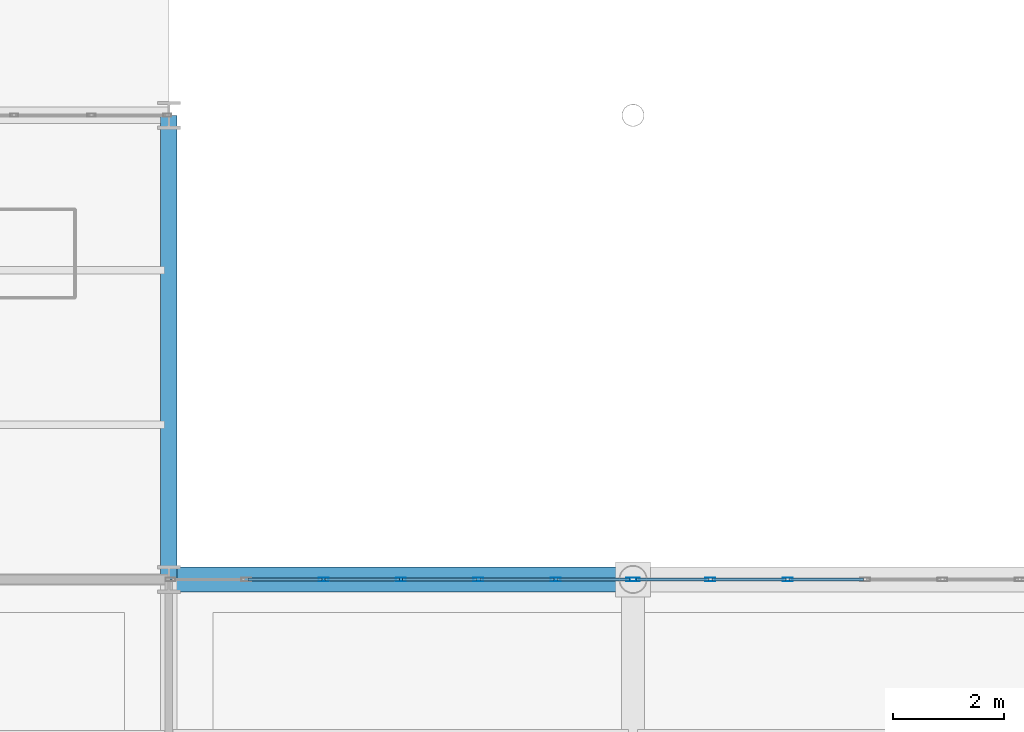
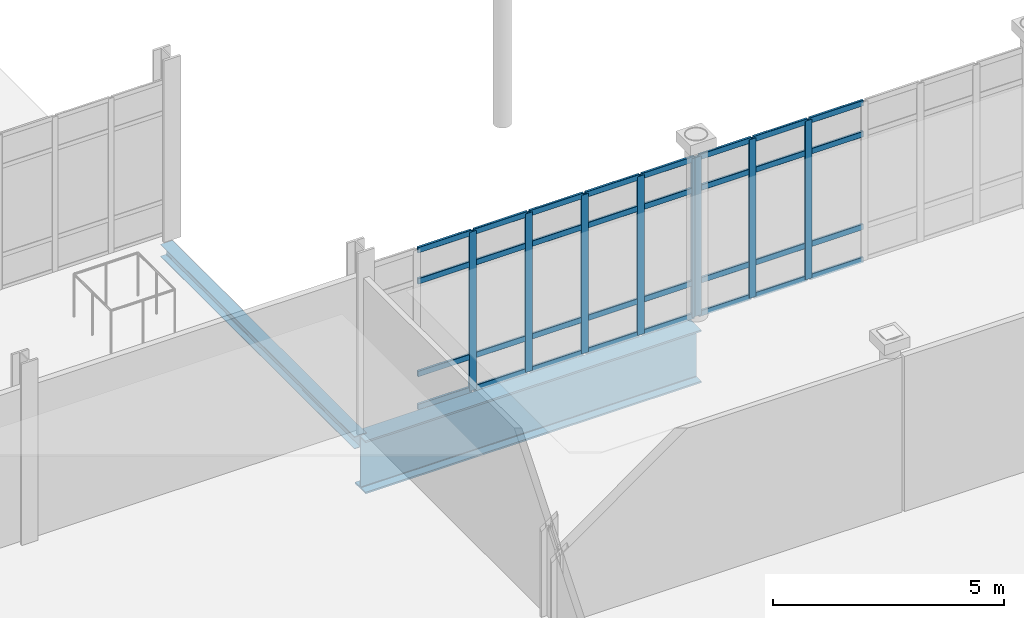
# One storey, part 41 of 145: 40 members, 2 beams, 2 elements without a shape of their own.
"""IFC4 building model written with IfcOpenShell, lengths in metres."""

from ifc_helpers import new_model, si_unit, direction, frame, origin, origin_2d, place, context, subcontext, project, spatial, hollow_rectangle, i_section, extrude, material, layer, layer_set, material_profile, profile_set, type_object, element, aggregate, save


model = new_model("IFC4")

# Units and contexts
model_context = context("Model", 3, precision=1e-05, world=origin(), true_north=direction((0.0, 1.0)))
body_context = subcontext(model_context, "Body", "Model", "MODEL_VIEW")
ifc_project = project(units=[si_unit("LENGTHUNIT", "METRE"), si_unit("AREAUNIT", "SQUARE_METRE"), si_unit("VOLUMEUNIT", "CUBIC_METRE"), si_unit("PLANEANGLEUNIT", "RADIAN"), si_unit("MASSUNIT", "GRAM", prefix="KILO")], contexts=[model_context])

# Site, building, storey
site_placement = place(None, origin())
site = spatial("IfcSite", under=ifc_project, at=site_placement, CompositionType="ELEMENT")
building_placement = place(site_placement, origin())
building = spatial("IfcBuilding", under=site, at=building_placement, Name="Qalvenar Corner Mobility Hub", CompositionType="ELEMENT")
storey_placement = place(building_placement, origin())
storey = spatial("IfcBuildingStorey", under=building, at=storey_placement, Name="L00", CompositionType="ELEMENT", Elevation=0.0)

# Beams
ifc_material_1 = material(Name="Steel S355", Category="steel")
ifc_material_profile_1 = material_profile(ifc_material_1, i_section(OverallWidth=0.300048828125, OverallDepth=0.330078125, WebThickness=0.009521484375, FlangeThickness=0.0166015625, FilletRadius=0.027099609375, at=origin_2d()), Name="HEA340")
ifc_profile_set_1 = profile_set([ifc_material_profile_1], Name="Steel S355")
beam_type_1 = type_object("IfcBeamType", Name="BM-SPN340", PredefinedType="SPANDREL", material=ifc_profile_set_1)
beam_1_placement = place(storey_placement, frame((50.39990234375, 33.60009765625, -0.385009765625), z_axis=(0.0, 1.0, 0.0), x_axis=(-1.0, 0.0, 0.0)))
element("IfcBeam", 1, at=beam_1_placement, inside=storey, type_object=beam_type_1, Name="Primary Steel Girder GY-0071", PredefinedType="SPANDREL", context=body_context, shape_type="SweptSolid", body=[
    extrude(i_section(OverallWidth=0.300048828125, OverallDepth=0.330078125, WebThickness=0.009521484375, FlangeThickness=0.0166015625, FilletRadius=0.027099609375, at=origin_2d()), origin(), (0.0, 0.0, 1.0), 8.39990234375),
])
ifc_material_profile_2 = material_profile(ifc_material_1, i_section(OverallWidth=0.449951171875, OverallDepth=1.39990234375, WebThickness=0.02587890625, FlangeThickness=0.0439453125, FilletRadius=0.02392578125, at=origin_2d()), Name="W1100x499-TG1400")
ifc_profile_set_2 = profile_set([ifc_material_profile_2], Name="Steel S355")
beam_type_2 = type_object("IfcBeamType", Name="BM-TG1400", PredefinedType="T_BEAM", material=ifc_profile_set_2)
beam_2_placement = place(storey_placement, frame((50.39990234375, 33.60009765625, -0.949951171875), z_axis=(1.0, 0.0, 0.0), x_axis=(0.0, 1.0, 0.0)))
element("IfcBeam", 2, at=beam_2_placement, inside=storey, type_object=beam_type_2, Name="Transfer Girder TG-0157", PredefinedType="T_BEAM", context=body_context, shape_type="SweptSolid", body=[
    extrude(i_section(OverallWidth=0.449951171875, OverallDepth=1.39990234375, WebThickness=0.02587890625, FlangeThickness=0.0439453125, FilletRadius=0.02392578125, at=origin_2d()), origin(), (0.0, 0.0, 1.0), 8.400146484375),
])

# Curtain wall, members
ifc_material_2 = material(Name="Anodised Aluminium and Low-E Glazing", Category="aluminium")
ifc_layer = layer(ifc_material_2, 0.179931640625)
ifc_layer_set = layer_set([ifc_layer], Name="Anodised Aluminium and Low-E Glazing")
curtain_wall_type = type_object("IfcCurtainWallType", Name="CW-CONC-84X48", PredefinedType="NOTDEFINED", material=ifc_layer_set)
curtain_wall_1_placement = place(storey_placement, origin())
curtain_wall_1 = element("IfcCurtainWall", 3, at=curtain_wall_1_placement, inside=storey, type_object=curtain_wall_type, Name="Glazed Curtain Wall CW-V1-L00-N0", PredefinedType="NOTDEFINED")
ifc_material_3 = material(Name="Anodised Aluminium 6063-T6", Category="aluminium")
ifc_material_profile_3 = material_profile(ifc_material_3, hollow_rectangle(XDim=0.06494140625, YDim=0.179931640625, WallThickness=0.00390625, InnerFilletRadius=0.00390625, OuterFilletRadius=0.008056640625, at=origin_2d()), Name="RHS180x65x4")
ifc_profile_set_3 = profile_set([ifc_material_profile_3], Name="Anodised Aluminium 6063-T6")
member_type_1 = type_object("IfcMemberType", Name="CW-MUL180", PredefinedType="MULLION", material=ifc_profile_set_3)
member_1_placement = place(storey_placement, frame((58.77001953125, 33.60009765625, 0.0), z_axis=(0.0, 0.0, 1.0), x_axis=(0.0, -1.0, 0.0)))
member_1 = element("IfcMember", 4, at=member_1_placement, type_object=member_type_1, Name="CW-01 mullion 1", PredefinedType="MULLION", context=body_context, shape_type="SweptSolid", body=[
    extrude(hollow_rectangle(XDim=0.06494140625, YDim=0.179931640625, WallThickness=0.00390625, InnerFilletRadius=0.00390625, OuterFilletRadius=0.008056640625, at=origin_2d()), origin(), (0.0, 0.0, 1.0), 4.199951171875),
])
member_2_placement = place(storey_placement, frame((57.39990234375, 33.60009765625, 0.0), z_axis=(0.0, 0.0, 1.0), x_axis=(0.0, -1.0, 0.0)))
member_2 = element("IfcMember", 5, at=member_2_placement, type_object=member_type_1, Name="CW-01 mullion 2", PredefinedType="MULLION", context=body_context, shape_type="SweptSolid", body=[
    extrude(hollow_rectangle(XDim=0.06494140625, YDim=0.179931640625, WallThickness=0.00390625, InnerFilletRadius=0.00390625, OuterFilletRadius=0.008056640625, at=origin_2d()), origin(), (0.0, 0.0, 1.0), 4.199951171875),
])
member_3_placement = place(storey_placement, frame((56.0, 33.60009765625, 0.0), z_axis=(0.0, 0.0, 1.0), x_axis=(0.0, -1.0, 0.0)))
member_3 = element("IfcMember", 6, at=member_3_placement, type_object=member_type_1, Name="CW-01 mullion 3", PredefinedType="MULLION", context=body_context, shape_type="SweptSolid", body=[
    extrude(hollow_rectangle(XDim=0.06494140625, YDim=0.179931640625, WallThickness=0.00390625, InnerFilletRadius=0.00390625, OuterFilletRadius=0.008056640625, at=origin_2d()), origin(), (0.0, 0.0, 1.0), 4.199951171875),
])
member_4_placement = place(storey_placement, frame((54.60009765625, 33.60009765625, 0.0), z_axis=(0.0, 0.0, 1.0), x_axis=(0.0, -1.0, 0.0)))
member_4 = element("IfcMember", 7, at=member_4_placement, type_object=member_type_1, Name="CW-01 mullion 4", PredefinedType="MULLION", context=body_context, shape_type="SweptSolid", body=[
    extrude(hollow_rectangle(XDim=0.06494140625, YDim=0.179931640625, WallThickness=0.00390625, InnerFilletRadius=0.00390625, OuterFilletRadius=0.008056640625, at=origin_2d()), origin(), (0.0, 0.0, 1.0), 4.199951171875),
])
member_5_placement = place(storey_placement, frame((53.199951171875, 33.60009765625, 0.0), z_axis=(0.0, 0.0, 1.0), x_axis=(0.0, -1.0, 0.0)))
member_5 = element("IfcMember", 8, at=member_5_placement, type_object=member_type_1, Name="CW-01 mullion 5", PredefinedType="MULLION", context=body_context, shape_type="SweptSolid", body=[
    extrude(hollow_rectangle(XDim=0.06494140625, YDim=0.179931640625, WallThickness=0.00390625, InnerFilletRadius=0.00390625, OuterFilletRadius=0.008056640625, at=origin_2d()), origin(), (0.0, 0.0, 1.0), 4.199951171875),
])

curtain_wall_2_placement = place(storey_placement, origin())
curtain_wall_2 = element("IfcCurtainWall", 9, at=curtain_wall_2_placement, inside=storey, type_object=curtain_wall_type, Name="Glazed Curtain Wall CW-V1-L00-N1", PredefinedType="NOTDEFINED")
member_6_placement = place(storey_placement, frame((61.60009765625, 33.60009765625, 0.0), z_axis=(0.0, 0.0, 1.0), x_axis=(0.0, -1.0, 0.0)))
member_6 = element("IfcMember", 10, at=member_6_placement, type_object=member_type_1, Name="CW-01 mullion 5", PredefinedType="MULLION", context=body_context, shape_type="SweptSolid", body=[
    extrude(hollow_rectangle(XDim=0.06494140625, YDim=0.179931640625, WallThickness=0.00390625, InnerFilletRadius=0.00390625, OuterFilletRadius=0.008056640625, at=origin_2d()), origin(), (0.0, 0.0, 1.0), 4.199951171875),
])
member_7_placement = place(storey_placement, frame((60.199951171875, 33.60009765625, 0.0), z_axis=(0.0, 0.0, 1.0), x_axis=(0.0, -1.0, 0.0)))
member_7 = element("IfcMember", 11, at=member_7_placement, type_object=member_type_1, Name="CW-01 mullion 6", PredefinedType="MULLION", context=body_context, shape_type="SweptSolid", body=[
    extrude(hollow_rectangle(XDim=0.06494140625, YDim=0.179931640625, WallThickness=0.00390625, InnerFilletRadius=0.00390625, OuterFilletRadius=0.008056640625, at=origin_2d()), origin(), (0.0, 0.0, 1.0), 4.199951171875),
])
member_8_placement = place(storey_placement, frame((58.830078125, 33.60009765625, 0.0), z_axis=(0.0, 0.0, 1.0), x_axis=(0.0, -1.0, 0.0)))
member_8 = element("IfcMember", 12, at=member_8_placement, type_object=member_type_1, Name="CW-01 mullion 7", PredefinedType="MULLION", context=body_context, shape_type="SweptSolid", body=[
    extrude(hollow_rectangle(XDim=0.06494140625, YDim=0.179931640625, WallThickness=0.00390625, InnerFilletRadius=0.00390625, OuterFilletRadius=0.008056640625, at=origin_2d()), origin(), (0.0, 0.0, 1.0), 4.199951171875),
])

# Member
ifc_material_profile_4 = material_profile(ifc_material_3, hollow_rectangle(XDim=0.06005859375, YDim=0.14990234375, WallThickness=0.00341796875, InnerFilletRadius=0.00341796875, OuterFilletRadius=0.007080078125, at=origin_2d()), Name="RHS150x60x3.5")
ifc_profile_set_4 = profile_set([ifc_material_profile_4], Name="Anodised Aluminium 6063-T6")
member_type_2 = type_object("IfcMemberType", Name="CW-TRN150", PredefinedType="USERDEFINED", material=ifc_profile_set_4)
member_9_placement = place(storey_placement, frame((58.739990234375, 33.60009765625, 0.027587890625), z_axis=(-1.0, 0.0, 0.0), x_axis=(0.0, -1.0, 0.0)))
member_9 = element("IfcMember", 13, at=member_9_placement, type_object=member_type_2, Name="CW-01 transom 1.1", ObjectType="TRANSOM", PredefinedType="USERDEFINED", context=body_context, shape_type="SweptSolid", body=[
    extrude(hollow_rectangle(XDim=0.06005859375, YDim=0.14990234375, WallThickness=0.00341796875, InnerFilletRadius=0.00341796875, OuterFilletRadius=0.007080078125, at=origin_2d()), origin(), (0.0, 0.0, 1.0), 1.31005859375),
])

member_10_placement = place(storey_placement, frame((58.739990234375, 33.60009765625, 0.89990234375), z_axis=(-1.0, 0.0, 0.0), x_axis=(0.0, -1.0, 0.0)))
member_10 = element("IfcMember", 14, at=member_10_placement, type_object=member_type_2, Name="CW-01 transom 1.2", ObjectType="TRANSOM", PredefinedType="USERDEFINED", context=body_context, shape_type="SweptSolid", body=[
    extrude(hollow_rectangle(XDim=0.06005859375, YDim=0.14990234375, WallThickness=0.00341796875, InnerFilletRadius=0.00341796875, OuterFilletRadius=0.007080078125, at=origin_2d()), origin(), (0.0, 0.0, 1.0), 1.31005859375),
])

member_11_placement = place(storey_placement, frame((58.739990234375, 33.60009765625, 3.35009765625), z_axis=(-1.0, 0.0, 0.0), x_axis=(0.0, -1.0, 0.0)))
member_11 = element("IfcMember", 15, at=member_11_placement, type_object=member_type_2, Name="CW-01 transom 1.3", ObjectType="TRANSOM", PredefinedType="USERDEFINED", context=body_context, shape_type="SweptSolid", body=[
    extrude(hollow_rectangle(XDim=0.06005859375, YDim=0.14990234375, WallThickness=0.00341796875, InnerFilletRadius=0.00341796875, OuterFilletRadius=0.007080078125, at=origin_2d()), origin(), (0.0, 0.0, 1.0), 1.31005859375),
])

member_12_placement = place(storey_placement, frame((58.739990234375, 33.60009765625, 4.172607421875), z_axis=(-1.0, 0.0, 0.0), x_axis=(0.0, -1.0, 0.0)))
member_12 = element("IfcMember", 16, at=member_12_placement, type_object=member_type_2, Name="CW-01 transom 1.4", ObjectType="TRANSOM", PredefinedType="USERDEFINED", context=body_context, shape_type="SweptSolid", body=[
    extrude(hollow_rectangle(XDim=0.06005859375, YDim=0.14990234375, WallThickness=0.00341796875, InnerFilletRadius=0.00341796875, OuterFilletRadius=0.007080078125, at=origin_2d()), origin(), (0.0, 0.0, 1.0), 1.31005859375),
])

member_13_placement = place(storey_placement, frame((57.3701171875, 33.60009765625, 0.027587890625), z_axis=(-1.0, 0.0, 0.0), x_axis=(0.0, -1.0, 0.0)))
member_13 = element("IfcMember", 17, at=member_13_placement, type_object=member_type_2, Name="CW-01 transom 2.1", ObjectType="TRANSOM", PredefinedType="USERDEFINED", context=body_context, shape_type="SweptSolid", body=[
    extrude(hollow_rectangle(XDim=0.06005859375, YDim=0.14990234375, WallThickness=0.00341796875, InnerFilletRadius=0.00341796875, OuterFilletRadius=0.007080078125, at=origin_2d()), origin(), (0.0, 0.0, 1.0), 1.340087890625),
])

member_14_placement = place(storey_placement, frame((57.3701171875, 33.60009765625, 0.89990234375), z_axis=(-1.0, 0.0, 0.0), x_axis=(0.0, -1.0, 0.0)))
member_14 = element("IfcMember", 18, at=member_14_placement, type_object=member_type_2, Name="CW-01 transom 2.2", ObjectType="TRANSOM", PredefinedType="USERDEFINED", context=body_context, shape_type="SweptSolid", body=[
    extrude(hollow_rectangle(XDim=0.06005859375, YDim=0.14990234375, WallThickness=0.00341796875, InnerFilletRadius=0.00341796875, OuterFilletRadius=0.007080078125, at=origin_2d()), origin(), (0.0, 0.0, 1.0), 1.340087890625),
])

member_15_placement = place(storey_placement, frame((57.3701171875, 33.60009765625, 3.35009765625), z_axis=(-1.0, 0.0, 0.0), x_axis=(0.0, -1.0, 0.0)))
member_15 = element("IfcMember", 19, at=member_15_placement, type_object=member_type_2, Name="CW-01 transom 2.3", ObjectType="TRANSOM", PredefinedType="USERDEFINED", context=body_context, shape_type="SweptSolid", body=[
    extrude(hollow_rectangle(XDim=0.06005859375, YDim=0.14990234375, WallThickness=0.00341796875, InnerFilletRadius=0.00341796875, OuterFilletRadius=0.007080078125, at=origin_2d()), origin(), (0.0, 0.0, 1.0), 1.340087890625),
])

member_16_placement = place(storey_placement, frame((57.3701171875, 33.60009765625, 4.172607421875), z_axis=(-1.0, 0.0, 0.0), x_axis=(0.0, -1.0, 0.0)))
member_16 = element("IfcMember", 20, at=member_16_placement, type_object=member_type_2, Name="CW-01 transom 2.4", ObjectType="TRANSOM", PredefinedType="USERDEFINED", context=body_context, shape_type="SweptSolid", body=[
    extrude(hollow_rectangle(XDim=0.06005859375, YDim=0.14990234375, WallThickness=0.00341796875, InnerFilletRadius=0.00341796875, OuterFilletRadius=0.007080078125, at=origin_2d()), origin(), (0.0, 0.0, 1.0), 1.340087890625),
])

member_17_placement = place(storey_placement, frame((55.969970703125, 33.60009765625, 0.027587890625), z_axis=(-1.0, 0.0, 0.0), x_axis=(0.0, -1.0, 0.0)))
member_17 = element("IfcMember", 21, at=member_17_placement, type_object=member_type_2, Name="CW-01 transom 3.1", ObjectType="TRANSOM", PredefinedType="USERDEFINED", context=body_context, shape_type="SweptSolid", body=[
    extrude(hollow_rectangle(XDim=0.06005859375, YDim=0.14990234375, WallThickness=0.00341796875, InnerFilletRadius=0.00341796875, OuterFilletRadius=0.007080078125, at=origin_2d()), origin(), (0.0, 0.0, 1.0), 1.340087890625),
])

member_18_placement = place(storey_placement, frame((55.969970703125, 33.60009765625, 0.89990234375), z_axis=(-1.0, 0.0, 0.0), x_axis=(0.0, -1.0, 0.0)))
member_18 = element("IfcMember", 22, at=member_18_placement, type_object=member_type_2, Name="CW-01 transom 3.2", ObjectType="TRANSOM", PredefinedType="USERDEFINED", context=body_context, shape_type="SweptSolid", body=[
    extrude(hollow_rectangle(XDim=0.06005859375, YDim=0.14990234375, WallThickness=0.00341796875, InnerFilletRadius=0.00341796875, OuterFilletRadius=0.007080078125, at=origin_2d()), origin(), (0.0, 0.0, 1.0), 1.340087890625),
])

member_19_placement = place(storey_placement, frame((55.969970703125, 33.60009765625, 3.35009765625), z_axis=(-1.0, 0.0, 0.0), x_axis=(0.0, -1.0, 0.0)))
member_19 = element("IfcMember", 23, at=member_19_placement, type_object=member_type_2, Name="CW-01 transom 3.3", ObjectType="TRANSOM", PredefinedType="USERDEFINED", context=body_context, shape_type="SweptSolid", body=[
    extrude(hollow_rectangle(XDim=0.06005859375, YDim=0.14990234375, WallThickness=0.00341796875, InnerFilletRadius=0.00341796875, OuterFilletRadius=0.007080078125, at=origin_2d()), origin(), (0.0, 0.0, 1.0), 1.340087890625),
])

member_20_placement = place(storey_placement, frame((55.969970703125, 33.60009765625, 4.172607421875), z_axis=(-1.0, 0.0, 0.0), x_axis=(0.0, -1.0, 0.0)))
member_20 = element("IfcMember", 24, at=member_20_placement, type_object=member_type_2, Name="CW-01 transom 3.4", ObjectType="TRANSOM", PredefinedType="USERDEFINED", context=body_context, shape_type="SweptSolid", body=[
    extrude(hollow_rectangle(XDim=0.06005859375, YDim=0.14990234375, WallThickness=0.00341796875, InnerFilletRadius=0.00341796875, OuterFilletRadius=0.007080078125, at=origin_2d()), origin(), (0.0, 0.0, 1.0), 1.340087890625),
])

member_21_placement = place(storey_placement, frame((54.570068359375, 33.60009765625, 0.027587890625), z_axis=(-1.0, 0.0, 0.0), x_axis=(0.0, -1.0, 0.0)))
member_21 = element("IfcMember", 25, at=member_21_placement, type_object=member_type_2, Name="CW-01 transom 4.1", ObjectType="TRANSOM", PredefinedType="USERDEFINED", context=body_context, shape_type="SweptSolid", body=[
    extrude(hollow_rectangle(XDim=0.06005859375, YDim=0.14990234375, WallThickness=0.00341796875, InnerFilletRadius=0.00341796875, OuterFilletRadius=0.007080078125, at=origin_2d()), origin(), (0.0, 0.0, 1.0), 1.340087890625),
])

member_22_placement = place(storey_placement, frame((54.570068359375, 33.60009765625, 0.89990234375), z_axis=(-1.0, 0.0, 0.0), x_axis=(0.0, -1.0, 0.0)))
member_22 = element("IfcMember", 26, at=member_22_placement, type_object=member_type_2, Name="CW-01 transom 4.2", ObjectType="TRANSOM", PredefinedType="USERDEFINED", context=body_context, shape_type="SweptSolid", body=[
    extrude(hollow_rectangle(XDim=0.06005859375, YDim=0.14990234375, WallThickness=0.00341796875, InnerFilletRadius=0.00341796875, OuterFilletRadius=0.007080078125, at=origin_2d()), origin(), (0.0, 0.0, 1.0), 1.340087890625),
])

member_23_placement = place(storey_placement, frame((54.570068359375, 33.60009765625, 3.35009765625), z_axis=(-1.0, 0.0, 0.0), x_axis=(0.0, -1.0, 0.0)))
member_23 = element("IfcMember", 27, at=member_23_placement, type_object=member_type_2, Name="CW-01 transom 4.3", ObjectType="TRANSOM", PredefinedType="USERDEFINED", context=body_context, shape_type="SweptSolid", body=[
    extrude(hollow_rectangle(XDim=0.06005859375, YDim=0.14990234375, WallThickness=0.00341796875, InnerFilletRadius=0.00341796875, OuterFilletRadius=0.007080078125, at=origin_2d()), origin(), (0.0, 0.0, 1.0), 1.340087890625),
])

member_24_placement = place(storey_placement, frame((54.570068359375, 33.60009765625, 4.172607421875), z_axis=(-1.0, 0.0, 0.0), x_axis=(0.0, -1.0, 0.0)))
member_24 = element("IfcMember", 28, at=member_24_placement, type_object=member_type_2, Name="CW-01 transom 4.4", ObjectType="TRANSOM", PredefinedType="USERDEFINED", context=body_context, shape_type="SweptSolid", body=[
    extrude(hollow_rectangle(XDim=0.06005859375, YDim=0.14990234375, WallThickness=0.00341796875, InnerFilletRadius=0.00341796875, OuterFilletRadius=0.007080078125, at=origin_2d()), origin(), (0.0, 0.0, 1.0), 1.340087890625),
])

member_25_placement = place(storey_placement, frame((53.169921875, 33.60009765625, 0.027587890625), z_axis=(-1.0, 0.0, 0.0), x_axis=(0.0, -1.0, 0.0)))
member_25 = element("IfcMember", 29, at=member_25_placement, type_object=member_type_2, Name="CW-01 transom 5.1", ObjectType="TRANSOM", PredefinedType="USERDEFINED", context=body_context, shape_type="SweptSolid", body=[
    extrude(hollow_rectangle(XDim=0.06005859375, YDim=0.14990234375, WallThickness=0.00341796875, InnerFilletRadius=0.00341796875, OuterFilletRadius=0.007080078125, at=origin_2d()), origin(), (0.0, 0.0, 1.0), 1.33984375),
])

member_26_placement = place(storey_placement, frame((53.169921875, 33.60009765625, 0.89990234375), z_axis=(-1.0, 0.0, 0.0), x_axis=(0.0, -1.0, 0.0)))
member_26 = element("IfcMember", 30, at=member_26_placement, type_object=member_type_2, Name="CW-01 transom 5.2", ObjectType="TRANSOM", PredefinedType="USERDEFINED", context=body_context, shape_type="SweptSolid", body=[
    extrude(hollow_rectangle(XDim=0.06005859375, YDim=0.14990234375, WallThickness=0.00341796875, InnerFilletRadius=0.00341796875, OuterFilletRadius=0.007080078125, at=origin_2d()), origin(), (0.0, 0.0, 1.0), 1.33984375),
])

member_27_placement = place(storey_placement, frame((53.169921875, 33.60009765625, 3.35009765625), z_axis=(-1.0, 0.0, 0.0), x_axis=(0.0, -1.0, 0.0)))
member_27 = element("IfcMember", 31, at=member_27_placement, type_object=member_type_2, Name="CW-01 transom 5.3", ObjectType="TRANSOM", PredefinedType="USERDEFINED", context=body_context, shape_type="SweptSolid", body=[
    extrude(hollow_rectangle(XDim=0.06005859375, YDim=0.14990234375, WallThickness=0.00341796875, InnerFilletRadius=0.00341796875, OuterFilletRadius=0.007080078125, at=origin_2d()), origin(), (0.0, 0.0, 1.0), 1.33984375),
])

member_28_placement = place(storey_placement, frame((53.169921875, 33.60009765625, 4.172607421875), z_axis=(-1.0, 0.0, 0.0), x_axis=(0.0, -1.0, 0.0)))
member_28 = element("IfcMember", 32, at=member_28_placement, type_object=member_type_2, Name="CW-01 transom 5.4", ObjectType="TRANSOM", PredefinedType="USERDEFINED", context=body_context, shape_type="SweptSolid", body=[
    extrude(hollow_rectangle(XDim=0.06005859375, YDim=0.14990234375, WallThickness=0.00341796875, InnerFilletRadius=0.00341796875, OuterFilletRadius=0.007080078125, at=origin_2d()), origin(), (0.0, 0.0, 1.0), 1.33984375),
])

aggregate(curtain_wall_1, [member_1, member_2, member_3, member_4, member_5, member_9, member_10, member_11, member_12, member_13, member_14, member_15, member_16, member_17, member_18, member_19, member_20, member_21, member_22, member_23, member_24, member_25, member_26, member_27, member_28])

member_29_placement = place(storey_placement, frame((62.969970703125, 33.60009765625, 0.027587890625), z_axis=(-1.0, 0.0, 0.0), x_axis=(0.0, -1.0, 0.0)))
member_29 = element("IfcMember", 33, at=member_29_placement, type_object=member_type_2, Name="CW-01 transom 4.1", ObjectType="TRANSOM", PredefinedType="USERDEFINED", context=body_context, shape_type="SweptSolid", body=[
    extrude(hollow_rectangle(XDim=0.06005859375, YDim=0.14990234375, WallThickness=0.00341796875, InnerFilletRadius=0.00341796875, OuterFilletRadius=0.007080078125, at=origin_2d()), origin(), (0.0, 0.0, 1.0), 1.340087890625),
])

member_30_placement = place(storey_placement, frame((62.969970703125, 33.60009765625, 0.89990234375), z_axis=(-1.0, 0.0, 0.0), x_axis=(0.0, -1.0, 0.0)))
member_30 = element("IfcMember", 34, at=member_30_placement, type_object=member_type_2, Name="CW-01 transom 4.2", ObjectType="TRANSOM", PredefinedType="USERDEFINED", context=body_context, shape_type="SweptSolid", body=[
    extrude(hollow_rectangle(XDim=0.06005859375, YDim=0.14990234375, WallThickness=0.00341796875, InnerFilletRadius=0.00341796875, OuterFilletRadius=0.007080078125, at=origin_2d()), origin(), (0.0, 0.0, 1.0), 1.340087890625),
])

member_31_placement = place(storey_placement, frame((62.969970703125, 33.60009765625, 3.35009765625), z_axis=(-1.0, 0.0, 0.0), x_axis=(0.0, -1.0, 0.0)))
member_31 = element("IfcMember", 35, at=member_31_placement, type_object=member_type_2, Name="CW-01 transom 4.3", ObjectType="TRANSOM", PredefinedType="USERDEFINED", context=body_context, shape_type="SweptSolid", body=[
    extrude(hollow_rectangle(XDim=0.06005859375, YDim=0.14990234375, WallThickness=0.00341796875, InnerFilletRadius=0.00341796875, OuterFilletRadius=0.007080078125, at=origin_2d()), origin(), (0.0, 0.0, 1.0), 1.340087890625),
])

member_32_placement = place(storey_placement, frame((62.969970703125, 33.60009765625, 4.172607421875), z_axis=(-1.0, 0.0, 0.0), x_axis=(0.0, -1.0, 0.0)))
member_32 = element("IfcMember", 36, at=member_32_placement, type_object=member_type_2, Name="CW-01 transom 4.4", ObjectType="TRANSOM", PredefinedType="USERDEFINED", context=body_context, shape_type="SweptSolid", body=[
    extrude(hollow_rectangle(XDim=0.06005859375, YDim=0.14990234375, WallThickness=0.00341796875, InnerFilletRadius=0.00341796875, OuterFilletRadius=0.007080078125, at=origin_2d()), origin(), (0.0, 0.0, 1.0), 1.340087890625),
])

member_33_placement = place(storey_placement, frame((61.570068359375, 33.60009765625, 0.027587890625), z_axis=(-1.0, 0.0, 0.0), x_axis=(0.0, -1.0, 0.0)))
member_33 = element("IfcMember", 37, at=member_33_placement, type_object=member_type_2, Name="CW-01 transom 5.1", ObjectType="TRANSOM", PredefinedType="USERDEFINED", context=body_context, shape_type="SweptSolid", body=[
    extrude(hollow_rectangle(XDim=0.06005859375, YDim=0.14990234375, WallThickness=0.00341796875, InnerFilletRadius=0.00341796875, OuterFilletRadius=0.007080078125, at=origin_2d()), origin(), (0.0, 0.0, 1.0), 1.340087890625),
])

member_34_placement = place(storey_placement, frame((61.570068359375, 33.60009765625, 0.89990234375), z_axis=(-1.0, 0.0, 0.0), x_axis=(0.0, -1.0, 0.0)))
member_34 = element("IfcMember", 38, at=member_34_placement, type_object=member_type_2, Name="CW-01 transom 5.2", ObjectType="TRANSOM", PredefinedType="USERDEFINED", context=body_context, shape_type="SweptSolid", body=[
    extrude(hollow_rectangle(XDim=0.06005859375, YDim=0.14990234375, WallThickness=0.00341796875, InnerFilletRadius=0.00341796875, OuterFilletRadius=0.007080078125, at=origin_2d()), origin(), (0.0, 0.0, 1.0), 1.340087890625),
])

member_35_placement = place(storey_placement, frame((61.570068359375, 33.60009765625, 3.35009765625), z_axis=(-1.0, 0.0, 0.0), x_axis=(0.0, -1.0, 0.0)))
member_35 = element("IfcMember", 39, at=member_35_placement, type_object=member_type_2, Name="CW-01 transom 5.3", ObjectType="TRANSOM", PredefinedType="USERDEFINED", context=body_context, shape_type="SweptSolid", body=[
    extrude(hollow_rectangle(XDim=0.06005859375, YDim=0.14990234375, WallThickness=0.00341796875, InnerFilletRadius=0.00341796875, OuterFilletRadius=0.007080078125, at=origin_2d()), origin(), (0.0, 0.0, 1.0), 1.340087890625),
])

member_36_placement = place(storey_placement, frame((61.570068359375, 33.60009765625, 4.172607421875), z_axis=(-1.0, 0.0, 0.0), x_axis=(0.0, -1.0, 0.0)))
member_36 = element("IfcMember", 40, at=member_36_placement, type_object=member_type_2, Name="CW-01 transom 5.4", ObjectType="TRANSOM", PredefinedType="USERDEFINED", context=body_context, shape_type="SweptSolid", body=[
    extrude(hollow_rectangle(XDim=0.06005859375, YDim=0.14990234375, WallThickness=0.00341796875, InnerFilletRadius=0.00341796875, OuterFilletRadius=0.007080078125, at=origin_2d()), origin(), (0.0, 0.0, 1.0), 1.340087890625),
])

member_37_placement = place(storey_placement, frame((60.169921875, 33.60009765625, 0.027587890625), z_axis=(-1.0, 0.0, 0.0), x_axis=(0.0, -1.0, 0.0)))
member_37 = element("IfcMember", 41, at=member_37_placement, type_object=member_type_2, Name="CW-01 transom 6.1", ObjectType="TRANSOM", PredefinedType="USERDEFINED", context=body_context, shape_type="SweptSolid", body=[
    extrude(hollow_rectangle(XDim=0.06005859375, YDim=0.14990234375, WallThickness=0.00341796875, InnerFilletRadius=0.00341796875, OuterFilletRadius=0.007080078125, at=origin_2d()), origin(), (0.0, 0.0, 1.0), 1.309814453125),
])

member_38_placement = place(storey_placement, frame((60.169921875, 33.60009765625, 0.89990234375), z_axis=(-1.0, 0.0, 0.0), x_axis=(0.0, -1.0, 0.0)))
member_38 = element("IfcMember", 42, at=member_38_placement, type_object=member_type_2, Name="CW-01 transom 6.2", ObjectType="TRANSOM", PredefinedType="USERDEFINED", context=body_context, shape_type="SweptSolid", body=[
    extrude(hollow_rectangle(XDim=0.06005859375, YDim=0.14990234375, WallThickness=0.00341796875, InnerFilletRadius=0.00341796875, OuterFilletRadius=0.007080078125, at=origin_2d()), origin(), (0.0, 0.0, 1.0), 1.309814453125),
])

member_39_placement = place(storey_placement, frame((60.169921875, 33.60009765625, 3.35009765625), z_axis=(-1.0, 0.0, 0.0), x_axis=(0.0, -1.0, 0.0)))
member_39 = element("IfcMember", 43, at=member_39_placement, type_object=member_type_2, Name="CW-01 transom 6.3", ObjectType="TRANSOM", PredefinedType="USERDEFINED", context=body_context, shape_type="SweptSolid", body=[
    extrude(hollow_rectangle(XDim=0.06005859375, YDim=0.14990234375, WallThickness=0.00341796875, InnerFilletRadius=0.00341796875, OuterFilletRadius=0.007080078125, at=origin_2d()), origin(), (0.0, 0.0, 1.0), 1.309814453125),
])

member_40_placement = place(storey_placement, frame((60.169921875, 33.60009765625, 4.172607421875), z_axis=(-1.0, 0.0, 0.0), x_axis=(0.0, -1.0, 0.0)))
member_40 = element("IfcMember", 44, at=member_40_placement, type_object=member_type_2, Name="CW-01 transom 6.4", ObjectType="TRANSOM", PredefinedType="USERDEFINED", context=body_context, shape_type="SweptSolid", body=[
    extrude(hollow_rectangle(XDim=0.06005859375, YDim=0.14990234375, WallThickness=0.00341796875, InnerFilletRadius=0.00341796875, OuterFilletRadius=0.007080078125, at=origin_2d()), origin(), (0.0, 0.0, 1.0), 1.309814453125),
])

aggregate(curtain_wall_2, [member_6, member_7, member_8, member_29, member_30, member_31, member_32, member_33, member_34, member_35, member_36, member_37, member_38, member_39, member_40])

save(model, "model.ifc")
